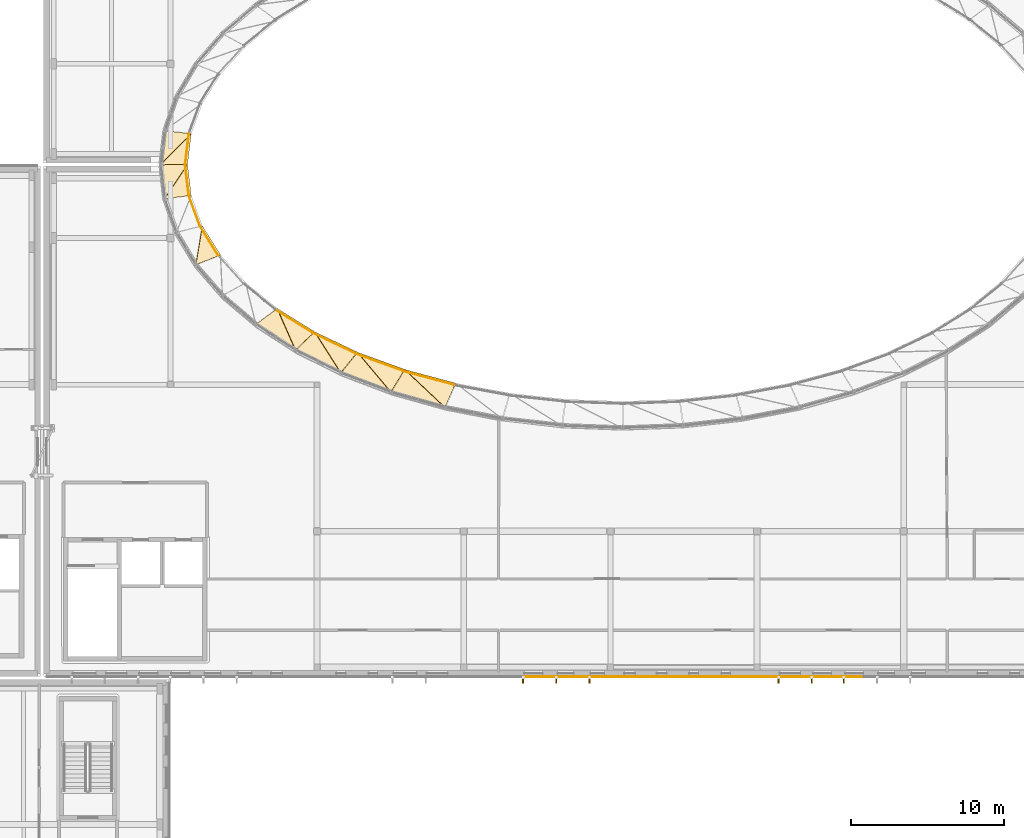
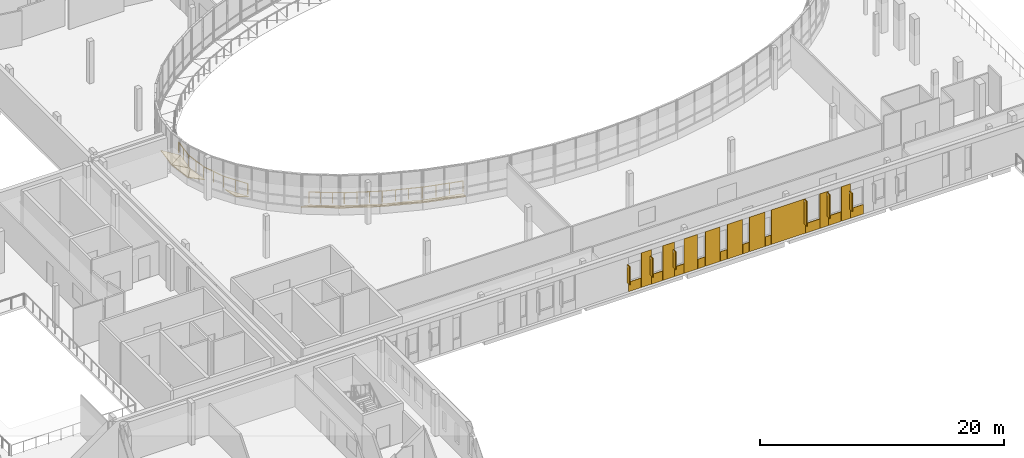
# One storey, part 57 of 73: 32 coverings, 8 railings, 6 shading devices.
"""IFC4 building model written with IfcOpenShell, lengths in metres."""

import ifcopenshell
import ifcopenshell.guid

model = None  # the IFC model being written
_history = None  # IfcOwnerHistory: only IFC2X3 demands one
_inside = {}  # id of a spatial element -> (the spatial element, [elements in it])
_under = {}  # id of a project, library or spatial element -> (it, [spatial elements below it])
_declared = {}  # id of a project -> (the project, [libraries it declares])
_typed = {}  # id of a type object -> (the type object, [elements of that type])
_made_of = {}  # id of a material, layer set ... -> (it, [elements and type objects made of it])


def new_model(schema):
    """Start an empty IFC model of exactly this schema.

    Asked for "IFC4X3", IfcOpenShell would pick the latest addendum, in which some entities
    have other attributes; the version numbers below select the first issue.
    IFC2X3 requires an IfcOwnerHistory on every rooted entity: one is made here for all.
    """
    global model, _history
    if schema == "IFC4X3":
        model = ifcopenshell.file(schema_version=(4, 3, 0, 0))
    else:
        model = ifcopenshell.file(schema=schema)
    _inside.clear()
    _under.clear()
    _declared.clear()
    _typed.clear()
    _made_of.clear()
    _history = None
    if model.schema == "IFC2X3":
        org = make("IfcOrganization", Name="unknown")
        user = make(
            "IfcPersonAndOrganization",
            ThePerson=make("IfcPerson", FamilyName="unknown"),
            TheOrganization=org,
        )
        app = make(
            "IfcApplication",
            ApplicationDeveloper=org,
            Version="unknown",
            ApplicationFullName="unknown",
            ApplicationIdentifier="unknown",
        )
        _history = make(
            "IfcOwnerHistory",
            OwningUser=user,
            OwningApplication=app,
            ChangeAction="ADDED",
            CreationDate=0,
        )
    return model


def make(cls, **values):
    """One entity of the class cls with the attributes given. An attribute that is None is left unset."""
    return model.create_entity(
        cls, **{name: value for name, value in values.items() if value is not None}
    )


def rooted(cls, **values):
    """An entity with a GlobalId (a new one), such as an element, a storey or a relation."""
    return make(cls, GlobalId=ifcopenshell.guid.new(), OwnerHistory=_history, **values)


def si_unit(unit_type, name, prefix=None):
    """IfcSIUnit, for example si_unit("LENGTHUNIT", "METRE", prefix="MILLI")."""
    return make("IfcSIUnit", UnitType=unit_type, Prefix=prefix, Name=name)


def assignment(units):
    """IfcUnitAssignment: the units of a project."""
    return None if units is None else make("IfcUnitAssignment", Units=units)


def point(xyz):
    """IfcCartesianPoint."""
    return None if xyz is None else make("IfcCartesianPoint", Coordinates=xyz)


def direction(xyz):
    """IfcDirection."""
    return None if xyz is None else make("IfcDirection", DirectionRatios=xyz)


def frame(location, z_axis=None, x_axis=None):
    """IfcAxis2Placement3D, a coordinate frame: its origin and axes. An axis left out is left unset."""
    return make(
        "IfcAxis2Placement3D",
        Location=point(location),
        Axis=direction(z_axis),
        RefDirection=direction(x_axis),
    )


def frame_2d(location, x_axis=None):
    """IfcAxis2Placement2D, a coordinate frame in the plane: its origin and x axis."""
    return make(
        "IfcAxis2Placement2D", Location=point(location), RefDirection=direction(x_axis)
    )


def origin():
    """The frame at (0, 0, 0) with its axes left unset."""
    return frame((0.0, 0.0, 0.0))


def origin_2d():
    """The frame at (0, 0) in the plane with its x axis left unset."""
    return frame_2d((0.0, 0.0))


def place(relative_to, where):
    """IfcLocalPlacement: puts the frame where relative to a parent placement (None: the world)."""
    return make(
        "IfcLocalPlacement", PlacementRelTo=relative_to, RelativePlacement=where
    )


def context(
    kind, dimensions, precision=None, world=None, true_north=None, identifier=None
):
    """IfcGeometricRepresentationContext, for example the 3D "Model" context."""
    return make(
        "IfcGeometricRepresentationContext",
        ContextIdentifier=identifier,
        ContextType=kind,
        CoordinateSpaceDimension=dimensions,
        Precision=precision,
        WorldCoordinateSystem=world,
        TrueNorth=true_north,
    )


def subcontext(parent, identifier, kind, view, scale=None):
    """IfcGeometricRepresentationSubContext, for example "Body" below "Model"."""
    return make(
        "IfcGeometricRepresentationSubContext",
        ContextIdentifier=identifier,
        ContextType=kind,
        ParentContext=parent,
        TargetScale=scale,
        TargetView=view,
    )


def project(units=None, contexts=None):
    """IfcProject with its units and contexts."""
    return rooted(
        "IfcProject",
        Name="project",
        RepresentationContexts=contexts,
        UnitsInContext=assignment(units),
    )


def spatial(cls, under=None, at=None, **own):
    """A site, building, storey or space (cls), placed at a placement, below another one or the project."""
    s = rooted(cls, ObjectPlacement=at, **own)
    if under is not None:
        _under.setdefault(under.id(), (under, []))[1].append(s)
    return s


def polyline(points):
    """IfcPolyline through the points."""
    return make("IfcPolyline", Points=[point(p) for p in points])


def profile(cls, at=None, kind="AREA", **sizes):
    """A parametric profile (cls). Its sizes go by their IFC names, for example OverallWidth=200.0."""
    return make(cls, ProfileType=kind, Position=at, **sizes)


def rectangle(**sizes):
    """IfcRectangleProfileDef."""
    return profile("IfcRectangleProfileDef", **sizes)


def circle(**sizes):
    """IfcCircleProfileDef."""
    return profile("IfcCircleProfileDef", **sizes)


def outline(outer, holes=None, kind="AREA"):
    """IfcArbitraryClosedProfileDef: a profile drawn as a closed curve; with holes, ...WithVoids."""
    if holes is None:
        return make("IfcArbitraryClosedProfileDef", ProfileType=kind, OuterCurve=outer)
    return make(
        "IfcArbitraryProfileDefWithVoids",
        ProfileType=kind,
        OuterCurve=outer,
        InnerCurves=holes,
    )


def extrude(swept, where, along, depth):
    """IfcExtrudedAreaSolid: the profile swept, set in the frame where, extruded along a direction by depth."""
    return make(
        "IfcExtrudedAreaSolid",
        SweptArea=swept,
        Position=where,
        ExtrudedDirection=direction(along),
        Depth=depth,
    )


def shape(context_of_items, identifier, shape_type, items):
    """IfcShapeRepresentation: the items that make up one representation, for example the "Body"."""
    return make(
        "IfcShapeRepresentation",
        ContextOfItems=context_of_items,
        RepresentationIdentifier=identifier,
        RepresentationType=shape_type,
        Items=items,
    )


def material(Name=None, Category=None):
    """IfcMaterial."""
    return make("IfcMaterial", Name=Name, Category=Category)


def layer(
    of_material, thickness, ventilated=None, Name=None, Category=None, Priority=None
):
    """IfcMaterialLayer: one layer of a wall or slab, of a material (None: an air gap)."""
    return make(
        "IfcMaterialLayer",
        Material=of_material,
        LayerThickness=thickness,
        IsVentilated=ventilated,
        Name=Name,
        Category=Category,
        Priority=Priority,
    )


def layer_set(layers, Name=None):
    """IfcMaterialLayerSet."""
    return make("IfcMaterialLayerSet", MaterialLayers=layers, LayerSetName=Name)


def made_of(thing, what):
    """Note that an element or type object is made of a material, layer set ...; save() writes the relation."""
    if what is not None:
        _made_of.setdefault(what.id(), (what, []))[1].append(thing)
    return thing


def type_object(cls, material=None, **own):
    """A type object (cls), such as IfcWallType, which elements share."""
    return made_of(rooted(cls, **own), material)


def element(
    cls,
    number,
    at=None,
    inside=None,
    cuts=None,
    type_object=None,
    material=None,
    context=None,
    identifier="Body",
    shape_type=None,
    held_by="IfcProductDefinitionShape",
    body=None,
    shapes=None,
    **own,
):
    """One element of the class cls, such as IfcWall. Its Tag is "e" and its number.

    at: its placement. inside: the storey or other place that contains it. cuts: it is an
    opening in that element (IfcRelVoidsElement). A single representation is given by context,
    identifier, shape_type and body (its items); several are given by shapes. held_by: the class
    of the entity that holds the representations. save() writes the other relations.
    """
    e = rooted(cls, Tag="e%d" % number, ObjectPlacement=at, **own)
    if body is not None:
        shapes = [shape(context, identifier, shape_type, body)]
    if shapes is not None:
        e.Representation = make(held_by, Representations=shapes)
    if inside is not None:
        _inside.setdefault(inside.id(), (inside, []))[1].append(e)
    if cuts is not None:
        rooted(
            "IfcRelVoidsElement", RelatingBuildingElement=cuts, RelatedOpeningElement=e
        )
    if type_object is not None:
        _typed.setdefault(type_object.id(), (type_object, []))[1].append(e)
    return made_of(e, material)


def aggregate(whole, parts):
    """IfcRelAggregates: a whole, such as a stair, and the parts it consists of."""
    return rooted("IfcRelAggregates", RelatingObject=whole, RelatedObjects=parts)


def save(model, path):
    """Write the relations noted so far, then the file.

    IfcRelAggregates (storeys below a building ...), IfcRelContainedInSpatialStructure (elements
    in a storey), IfcRelDefinesByType, IfcRelAssociatesMaterial and IfcRelDeclares: one each for
    every whole, place, type object, material and project.
    """
    for whole, parts in _under.values():
        aggregate(whole, parts)
    for where, things in _inside.values():
        rooted(
            "IfcRelContainedInSpatialStructure",
            RelatedElements=things,
            RelatingStructure=where,
        )
    for kind, things in _typed.values():
        rooted("IfcRelDefinesByType", RelatedObjects=things, RelatingType=kind)
    for what, things in _made_of.values():
        rooted("IfcRelAssociatesMaterial", RelatedObjects=things, RelatingMaterial=what)
    for by, libraries in _declared.values():
        rooted("IfcRelDeclares", RelatingContext=by, RelatedDefinitions=libraries)
    model.write(path)


model = new_model("IFC4")

# Units and contexts
model_context = context("Model", 3, precision=1e-05, world=origin(), true_north=direction((0.0, 1.0)))
body_context = subcontext(model_context, "Body", "Model", "MODEL_VIEW")
ifc_project = project(units=[si_unit("LENGTHUNIT", "METRE"), si_unit("AREAUNIT", "SQUARE_METRE"), si_unit("VOLUMEUNIT", "CUBIC_METRE"), si_unit("PLANEANGLEUNIT", "RADIAN"), si_unit("MASSUNIT", "GRAM", prefix="KILO")], contexts=[model_context])

# Site, building, storey
site_placement = place(None, origin())
site = spatial("IfcSite", under=ifc_project, at=site_placement, CompositionType="ELEMENT")
building_placement = place(site_placement, origin())
building = spatial("IfcBuilding", under=site, at=building_placement, Name="Mzevani Central Library", CompositionType="ELEMENT")
storey_placement = place(building_placement, frame((0.0, 0.0, 9.60009765625)))
storey = spatial("IfcBuildingStorey", under=building, at=storey_placement, Name="L02", CompositionType="ELEMENT", Elevation=9.60009765625)

# Shading devices
ifc_material_1 = material(Name="Anodized architectural bronze")
shading_device_type = type_object("IfcShadingDeviceType", Name="Anodized Bronze Vertical Sun-Breaker Fin", PredefinedType="USERDEFINED", material=ifc_material_1)
shading_device_1_placement = place(storey_placement, frame((98.47998046875, 42.27490234375, 0.94970703125), z_axis=(0.0, 0.0, 1.0), x_axis=(-1.0, 0.0, 0.0)))
element("IfcShadingDevice", 1, at=shading_device_1_placement, inside=storey, type_object=shading_device_type, Name="L02 V1 Solar Fin (97)", ObjectType="SOLAR FIN", PredefinedType="USERDEFINED", context=body_context, shape_type="SweptSolid", body=[
    extrude(rectangle(XDim=0.080078125, YDim=0.449951171875, at=origin_2d()), origin(), (0.0, 0.0, 1.0), 1.800048828125),
])
shading_device_2_placement = place(storey_placement, frame((96.3798828125, 42.27490234375, 0.949951171875), z_axis=(0.0, 0.0, 1.0), x_axis=(-1.0, 0.0, 0.0)))
element("IfcShadingDevice", 2, at=shading_device_2_placement, inside=storey, type_object=shading_device_type, Name="L02 V1 Solar Fin (98)", ObjectType="SOLAR FIN", PredefinedType="USERDEFINED", context=body_context, shape_type="SweptSolid", body=[
    extrude(rectangle(XDim=0.080078125, YDim=0.449951171875, at=origin_2d()), origin(), (0.0, 0.0, 1.0), 2.39990234375),
])
shading_device_3_placement = place(storey_placement, frame((94.205078125, 42.27490234375, 0.949951171875), z_axis=(0.0, 0.0, 1.0), x_axis=(-1.0, 0.0, 0.0)))
element("IfcShadingDevice", 3, at=shading_device_3_placement, inside=storey, type_object=shading_device_type, Name="L02 V1 Solar Fin (99)", ObjectType="SOLAR FIN", PredefinedType="USERDEFINED", context=body_context, shape_type="SweptSolid", body=[
    extrude(rectangle(XDim=0.080078125, YDim=0.449951171875, at=origin_2d()), origin(), (0.0, 0.0, 1.0), 2.5),
])
shading_device_4_placement = place(storey_placement, frame((81.830078125, 42.27490234375, 0.94970703125), z_axis=(0.0, 0.0, 1.0), x_axis=(-1.0, 0.0, 0.0)))
element("IfcShadingDevice", 4, at=shading_device_4_placement, inside=storey, type_object=shading_device_type, Name="L02 V1 Solar Fin (104)", ObjectType="SOLAR FIN", PredefinedType="USERDEFINED", context=body_context, shape_type="SweptSolid", body=[
    extrude(rectangle(XDim=0.080078125, YDim=0.449951171875, at=origin_2d()), origin(), (0.0, 0.0, 1.0), 1.800048828125),
])
shading_device_5_placement = place(storey_placement, frame((79.655029296875, 42.27490234375, 0.949951171875), z_axis=(0.0, 0.0, 1.0), x_axis=(-1.0, 0.0, 0.0)))
element("IfcShadingDevice", 5, at=shading_device_5_placement, inside=storey, type_object=shading_device_type, Name="L02 V1 Solar Fin (105)", ObjectType="SOLAR FIN", PredefinedType="USERDEFINED", context=body_context, shape_type="SweptSolid", body=[
    extrude(rectangle(XDim=0.080078125, YDim=0.449951171875, at=origin_2d()), origin(), (0.0, 0.0, 1.0), 1.89990234375),
])
shading_device_6_placement = place(storey_placement, frame((77.47998046875, 42.27490234375, 0.94970703125), z_axis=(0.0, 0.0, 1.0), x_axis=(-1.0, 0.0, 0.0)))
element("IfcShadingDevice", 6, at=shading_device_6_placement, inside=storey, type_object=shading_device_type, Name="L02 V1 Solar Fin (106)", ObjectType="SOLAR FIN", PredefinedType="USERDEFINED", context=body_context, shape_type="SweptSolid", body=[
    extrude(rectangle(XDim=0.080078125, YDim=0.449951171875, at=origin_2d()), origin(), (0.0, 0.0, 1.0), 1.800048828125),
])

# Coverings
ifc_material_2 = material(Name="Limestone ashlar cladding", Category="masonry")
ifc_layer = layer(ifc_material_2, 0.050048828125, Name="Limestone Ashlar Spandrel Cladding")
ifc_layer_set = layer_set([ifc_layer], Name="Limestone ashlar cladding")
covering_type = type_object("IfcCoveringType", Name="Limestone Ashlar Spandrel Cladding", PredefinedType="CLADDING", material=ifc_layer_set)
covering_1_placement = place(storey_placement, frame((55.762939453125, 78.0146484375, -0.280029296875), z_axis=(0.482113769095, -0.058209343557, 0.874172743782), x_axis=(-0.119867246619, -0.992789929032, 0.0)))
element("IfcCovering", 7, at=covering_1_placement, inside=storey, type_object=covering_type, Name="L02 Curved Court Spandrel Apron 24A", PredefinedType="CLADDING", context=body_context, shape_type="SweptSolid", body=[
    extrude(outline(polyline([(0.0, 0.0), (2.0265746375832947, 0.0), (2.2300524886926474, -1.9767938858167566), (0.0, 0.0)])), origin(), (0.0, 0.0, -1.0), 0.06005859375),
])
covering_2_placement = place(storey_placement, frame((55.762939453125, 78.0146484375, -0.280029296875), z_axis=(0.480029442013, -0.055517916996, 0.87549385817), x_axis=(-0.665389302731, -0.673417885797, 0.322126414471)))
element("IfcCovering", 8, at=covering_2_placement, inside=storey, type_object=covering_type, Name="L02 Curved Court Spandrel Apron 24B", PredefinedType="CLADDING", context=body_context, shape_type="SweptSolid", body=[
    extrude(outline(polyline([(0.0, 0.0), (2.9800751952470566, 0.0), (1.3137181064570167, -1.4902151256833533), (0.0, 0.0)])), origin(), (0.0, 0.0, -1.0), 0.06005859375),
])
covering_3_placement = place(storey_placement, frame((55.52001953125, 75.997314453125, -0.280029296875), z_axis=(0.479734759753, 0.057922107263, 0.875499622944), x_axis=(0.119867246619, -0.992789929032, 0.0)))
element("IfcCovering", 9, at=covering_3_placement, inside=storey, type_object=covering_type, Name="L02 Curved Court Spandrel Apron 25A", PredefinedType="CLADDING", context=body_context, shape_type="SweptSolid", body=[
    extrude(outline(polyline([(0.0, 0.0), (2.0265746375832947, 0.0), (2.0320000634221618, -1.9865968259319575), (0.0, 0.0)])), origin(), (0.0, 0.0, -1.0), 0.06005859375),
])
covering_4_placement = place(storey_placement, frame((55.52001953125, 75.997314453125, -0.280029296875), z_axis=(0.482186619498, 0.055767405861, 0.874291747885), x_axis=(-0.521914269667, -0.783258007663, 0.3378052524)))
element("IfcCovering", 10, at=covering_4_placement, inside=storey, type_object=covering_type, Name="L02 Curved Court Spandrel Apron 25B", PredefinedType="CLADDING", context=body_context, shape_type="SweptSolid", body=[
    extrude(outline(polyline([(0.0, 0.0), (2.84175847083291, 1.6653345369377348e-16), (1.2364213062782332, -1.555756939973536), (0.0, 0.0)])), origin(), (0.0, 0.0, -1.0), 0.06005859375),
])
covering_5_placement = place(storey_placement, frame((56.489013671875, 71.99658203125, -0.280029296875), z_axis=(0.415396503163, 0.259808733628, 0.87174833931), x_axis=(0.530271784497, -0.847827715144, 0.0)))
element("IfcCovering", 11, at=covering_5_placement, inside=storey, type_object=covering_type, Name="L02 Curved Court Spandrel Apron 27A", PredefinedType="CLADDING", context=body_context, shape_type="SweptSolid", body=[
    extrude(outline(polyline([(0.0, 0.0), (2.2518486402346767, 1.1102230246251565e-16), (1.9357322638071477, -1.9592882512749972), (0.0, 0.0)])), origin(), (0.0, 0.0, -1.0), 0.06005859375),
])
covering_6_placement = place(storey_placement, frame((61.396484375, 66.583251953125, -0.280029296875), z_axis=(0.261665279031, 0.422819736595, 0.867614402886), x_axis=(0.850337388032, -0.526237899162, 0.0)))
element("IfcCovering", 12, at=covering_6_placement, inside=storey, type_object=covering_type, Name="L02 Curved Court Spandrel Apron 30A", PredefinedType="CLADDING", context=body_context, shape_type="SweptSolid", body=[
    extrude(outline(polyline([(0.0, 0.0), (2.8805776684630735, -2.220446049250313e-16), (2.4379757946272083, -1.9305879209448535), (0.0, 0.0)])), origin(), (0.0, 0.0, -1.0), 0.06005859375),
])
covering_7_placement = place(storey_placement, frame((61.396484375, 66.583251953125, -0.280029296875), z_axis=(0.276015295902, 0.426851029618, 0.861169991896), x_axis=(0.383191185102, -0.87056075632, 0.308688330224)))
element("IfcCovering", 13, at=covering_7_placement, inside=storey, type_object=covering_type, Name="L02 Curved Court Spandrel Apron 30B", PredefinedType="CLADDING", context=body_context, shape_type="SweptSolid", body=[
    extrude(outline(polyline([(0.0, 0.0), (3.1098063759157646, 3.3306690738754696e-16), (0.6618051447707292, -1.8711467319723285), (0.0, 0.0)])), origin(), (0.0, 0.0, -1.0), 0.06005859375),
])
covering_8_placement = place(storey_placement, frame((63.85009765625, 65.059814453125, -0.280029296875), z_axis=(0.212986648202, 0.447487099254, 0.868557415309), x_axis=(0.902940744527, -0.429765065905, 0.0)))
element("IfcCovering", 14, at=covering_8_placement, inside=storey, type_object=covering_type, Name="L02 Curved Court Spandrel Apron 31A", PredefinedType="CLADDING", context=body_context, shape_type="SweptSolid", body=[
    extrude(outline(polyline([(0.0, 0.0), (3.093191626280768, -2.220446049250313e-16), (2.683443558481314, -1.9370119162523176), (0.0, 0.0)])), origin(), (0.0, 0.0, -1.0), 0.06005859375),
])
covering_9_placement = place(storey_placement, frame((63.85009765625, 65.059814453125, -0.280029296875), z_axis=(0.225368353983, 0.453174136086, 0.862462931033), x_axis=(0.51365579639, -0.807479010095, 0.290060978229)))
element("IfcCovering", 15, at=covering_9_placement, inside=storey, type_object=covering_type, Name="L02 Curved Court Spandrel Apron 31B", PredefinedType="CLADDING", context=body_context, shape_type="SweptSolid", body=[
    extrude(outline(polyline([(0.0, 0.0), (3.309514238564072, -3.885780586188048e-16), (0.6092019460721081, -1.8884735156535637), (0.0, 0.0)])), origin(), (0.0, 0.0, -1.0), 0.06005859375),
])
covering_10_placement = place(storey_placement, frame((66.649169921875, 63.72216796875, -0.280029296875), z_axis=(0.167983898286, 0.463200587885, 0.870187695443), x_axis=(0.940088141141, -0.340931498819, 0.0)))
element("IfcCovering", 16, at=covering_10_placement, inside=storey, type_object=covering_type, Name="L02 Curved Court Spandrel Apron 32A", PredefinedType="CLADDING", context=body_context, shape_type="SweptSolid", body=[
    extrude(outline(polyline([(0.0, 0.0), (3.2854611304077723, 2.220446049250313e-16), (2.9337021941387196, -1.9482874523607592), (0.0, 0.0)])), origin(), (0.0, 0.0, -1.0), 0.06005859375),
])
covering_11_placement = place(storey_placement, frame((66.649169921875, 63.72216796875, -0.280029296875), z_axis=(0.177929514091, 0.469559641846, 0.864786002873), x_axis=(0.618998273782, -0.736572590316, 0.272583851776)))
element("IfcCovering", 17, at=covering_11_placement, inside=storey, type_object=covering_type, Name="L02 Curved Court Spandrel Apron 32B", PredefinedType="CLADDING", context=body_context, shape_type="SweptSolid", body=[
    extrude(outline(polyline([(0.0, 0.0), (3.5217087558344056, -5.551115123125783e-16), (0.5914605800074694, -1.894025755616434), (0.0, 0.0)])), origin(), (0.0, 0.0, -1.0), 0.06005859375),
])
covering_12_placement = place(storey_placement, frame((69.74609375, 62.59326171875, -0.280029296875), z_axis=(0.126510933268, 0.472753205452, 0.872066161767), x_axis=(0.966008995784, -0.258508452598, 0.0)))
element("IfcCovering", 18, at=covering_12_placement, inside=storey, type_object=covering_type, Name="L02 Curved Court Spandrel Apron 33A", PredefinedType="CLADDING", context=body_context, shape_type="SweptSolid", body=[
    extrude(outline(polyline([(0.0, 0.0), (3.449022859948867, 0.0), (3.175637176252234, -1.9615539155147563), (0.0, 0.0)])), origin(), (0.0, 0.0, -1.0), 0.06005859375),
])
covering_13_placement = place(storey_placement, frame((69.74609375, 62.59326171875, -0.280029296875), z_axis=(0.133901664719, 0.478870354402, 0.867613697368), x_axis=(0.70339237913, -0.662643499438, 0.257182335386)))
element("IfcCovering", 19, at=covering_13_placement, inside=storey, type_object=covering_type, Name="L02 Curved Court Spandrel Apron 33B", PredefinedType="CLADDING", context=body_context, shape_type="SweptSolid", body=[
    extrude(outline(polyline([(0.0, 0.0), (3.7326083693131444, -5.551115123125783e-17), (0.6048689933932431, -1.890201091000881), (0.0, 0.0)])), origin(), (0.0, 0.0, -1.0), 0.06005859375),
])
covering_14_placement = place(storey_placement, frame((99.159912109375, 42.47607421875, 0.0), z_axis=(0.0, 0.0, 1.0), x_axis=(-1.0, 0.0, 0.0)))
element("IfcCovering", 20, at=covering_14_placement, inside=storey, type_object=covering_type, Name="L02 Warm-White Sill Cladding 35 (EW4-V1-L02-0011)", PredefinedType="CLADDING", context=body_context, shape_type="SweptSolid", body=[
    extrude(rectangle(XDim=1.199951171875, YDim=0.050048828125, at=origin_2d()), origin(), (0.0, 0.0, 1.0), 0.949951171875),
])
covering_15_placement = place(storey_placement, frame((98.110107421875, 42.47607421875, 0.0), z_axis=(0.0, 0.0, 1.0), x_axis=(-1.0, 0.0, 0.0)))
element("IfcCovering", 21, at=covering_15_placement, inside=storey, type_object=covering_type, Name="L02 Warm-White Facade Pier 36 (EW4-V1-L02-0011)", PredefinedType="CLADDING", context=body_context, shape_type="SweptSolid", body=[
    extrude(rectangle(XDim=0.860107421875, YDim=0.050048828125, at=origin_2d()), origin(), (0.0, 0.0, 1.0), 3.449951171875),
])
covering_16_placement = place(storey_placement, frame((97.06005859375, 42.47607421875, 0.0), z_axis=(0.0, 0.0, 1.0), x_axis=(-1.0, 0.0, 0.0)))
element("IfcCovering", 22, at=covering_16_placement, inside=storey, type_object=covering_type, Name="L02 Warm-White Sill Cladding 37 (EW4-V1-L02-0011)", PredefinedType="CLADDING", context=body_context, shape_type="SweptSolid", body=[
    extrude(rectangle(XDim=1.199951171875, YDim=0.050048828125, at=origin_2d()), origin(), (0.0, 0.0, 1.0), 0.949951171875),
])
covering_17_placement = place(storey_placement, frame((96.047607421875, 42.47607421875, 0.0), z_axis=(0.0, 0.0, 1.0), x_axis=(-1.0, 0.0, 0.0)))
element("IfcCovering", 23, at=covering_17_placement, inside=storey, type_object=covering_type, Name="L02 Warm-White Facade Pier 38 (EW4-V1-L02-0011)", PredefinedType="CLADDING", context=body_context, shape_type="SweptSolid", body=[
    extrude(rectangle(XDim=0.784912109375, YDim=0.050048828125, at=origin_2d()), origin(), (0.0, 0.0, 1.0), 3.449951171875),
])
covering_18_placement = place(storey_placement, frame((94.9599609375, 42.47607421875, 0.0), z_axis=(0.0, 0.0, 1.0), x_axis=(-1.0, 0.0, 0.0)))
element("IfcCovering", 24, at=covering_18_placement, inside=storey, type_object=covering_type, Name="L02 Warm-White Sill Cladding 39 (EW4-V1-L02-0011)", PredefinedType="CLADDING", context=body_context, shape_type="SweptSolid", body=[
    extrude(rectangle(XDim=1.35009765625, YDim=0.050048828125, at=origin_2d()), origin(), (0.0, 0.0, 1.0), 0.949951171875),
])
covering_19_placement = place(storey_placement, frame((92.659912109375, 42.47607421875, 0.0), z_axis=(0.0, 0.0, 1.0), x_axis=(-1.0, 0.0, 0.0)))
element("IfcCovering", 25, at=covering_19_placement, inside=storey, type_object=covering_type, Name="L02 Warm-White Facade Pier 40 (EW4-V1-L02-0011)", PredefinedType="CLADDING", context=body_context, shape_type="SweptSolid", body=[
    extrude(rectangle(XDim=3.2099609375, YDim=0.050048828125, at=origin_2d()), origin(), (0.0, 0.0, 1.0), 3.449951171875),
])
covering_20_placement = place(storey_placement, frame((90.760009765625, 42.47607421875, 0.0), z_axis=(0.0, 0.0, 1.0), x_axis=(-1.0, 0.0, 0.0)))
element("IfcCovering", 26, at=covering_20_placement, inside=storey, type_object=covering_type, Name="L02 Warm-White Sill Cladding 41 (EW4-V1-L02-0011)", PredefinedType="CLADDING", context=body_context, shape_type="SweptSolid", body=[
    extrude(rectangle(XDim=0.550048828125, YDim=0.050048828125, at=origin_2d()), origin(), (0.0, 0.0, 1.0), 0.949951171875),
])
covering_21_placement = place(storey_placement, frame((89.722412109375, 42.47607421875, 0.0), z_axis=(0.0, 0.0, 1.0), x_axis=(-1.0, 0.0, 0.0)))
element("IfcCovering", 27, at=covering_21_placement, inside=storey, type_object=covering_type, Name="L02 Warm-White Facade Pier 42 (EW4-V1-L02-0011)", PredefinedType="CLADDING", context=body_context, shape_type="SweptSolid", body=[
    extrude(rectangle(XDim=1.485107421875, YDim=0.050048828125, at=origin_2d()), origin(), (0.0, 0.0, 1.0), 3.449951171875),
])
covering_22_placement = place(storey_placement, frame((88.659912109375, 42.47607421875, 0.0), z_axis=(0.0, 0.0, 1.0), x_axis=(-1.0, 0.0, 0.0)))
element("IfcCovering", 28, at=covering_22_placement, inside=storey, type_object=covering_type, Name="L02 Warm-White Sill Cladding 43 (EW4-V1-L02-0011)", PredefinedType="CLADDING", context=body_context, shape_type="SweptSolid", body=[
    extrude(rectangle(XDim=0.60009765625, YDim=0.050048828125, at=origin_2d()), origin(), (0.0, 0.0, 1.0), 0.949951171875),
])
covering_23_placement = place(storey_placement, frame((87.62255859375, 42.47607421875, 0.0), z_axis=(0.0, 0.0, 1.0), x_axis=(-1.0, 0.0, 0.0)))
element("IfcCovering", 29, at=covering_23_placement, inside=storey, type_object=covering_type, Name="L02 Warm-White Facade Pier 44 (EW4-V1-L02-0011)", PredefinedType="CLADDING", context=body_context, shape_type="SweptSolid", body=[
    extrude(rectangle(XDim=1.43505859375, YDim=0.050048828125, at=origin_2d()), origin(), (0.0, 0.0, 1.0), 3.449951171875),
])
covering_24_placement = place(storey_placement, frame((86.56005859375, 42.47607421875, 0.0), z_axis=(0.0, 0.0, 1.0), x_axis=(-1.0, 0.0, 0.0)))
element("IfcCovering", 30, at=covering_24_placement, inside=storey, type_object=covering_type, Name="L02 Warm-White Sill Cladding 45 (EW4-V1-L02-0011)", PredefinedType="CLADDING", context=body_context, shape_type="SweptSolid", body=[
    extrude(rectangle(XDim=0.64990234375, YDim=0.050048828125, at=origin_2d()), origin(), (0.0, 0.0, 1.0), 0.949951171875),
])
covering_25_placement = place(storey_placement, frame((85.5224609375, 42.47607421875, 0.0), z_axis=(0.0, 0.0, 1.0), x_axis=(-1.0, 0.0, 0.0)))
element("IfcCovering", 31, at=covering_25_placement, inside=storey, type_object=covering_type, Name="L02 Warm-White Facade Pier 46 (EW4-V1-L02-0011)", PredefinedType="CLADDING", context=body_context, shape_type="SweptSolid", body=[
    extrude(rectangle(XDim=1.385009765625, YDim=0.050048828125, at=origin_2d()), origin(), (0.0, 0.0, 1.0), 3.449951171875),
])
covering_26_placement = place(storey_placement, frame((84.4599609375, 42.47607421875, 0.0), z_axis=(0.0, 0.0, 1.0), x_axis=(-1.0, 0.0, 0.0)))
element("IfcCovering", 32, at=covering_26_placement, inside=storey, type_object=covering_type, Name="L02 Warm-White Sill Cladding 47 (EW4-V1-L02-0011)", PredefinedType="CLADDING", context=body_context, shape_type="SweptSolid", body=[
    extrude(rectangle(XDim=0.699951171875, YDim=0.050048828125, at=origin_2d()), origin(), (0.0, 0.0, 1.0), 0.949951171875),
])
covering_27_placement = place(storey_placement, frame((83.4599609375, 42.47607421875, 0.0), z_axis=(0.0, 0.0, 1.0), x_axis=(-1.0, 0.0, 0.0)))
element("IfcCovering", 33, at=covering_27_placement, inside=storey, type_object=covering_type, Name="L02 Warm-White Facade Pier 48 (EW4-V1-L02-0011)", PredefinedType="CLADDING", context=body_context, shape_type="SweptSolid", body=[
    extrude(rectangle(XDim=1.260009765625, YDim=0.050048828125, at=origin_2d()), origin(), (0.0, 0.0, 1.0), 3.449951171875),
])
covering_28_placement = place(storey_placement, frame((82.360107421875, 42.47607421875, 0.0), z_axis=(0.0, 0.0, 1.0), x_axis=(-1.0, 0.0, 0.0)))
element("IfcCovering", 34, at=covering_28_placement, inside=storey, type_object=covering_type, Name="L02 Warm-White Sill Cladding 49 (EW4-V1-L02-0011)", PredefinedType="CLADDING", context=body_context, shape_type="SweptSolid", body=[
    extrude(rectangle(XDim=0.89990234375, YDim=0.050048828125, at=origin_2d()), origin(), (0.0, 0.0, 1.0), 0.949951171875),
])
covering_29_placement = place(storey_placement, frame((81.347412109375, 42.47607421875, 0.0), z_axis=(0.0, 0.0, 1.0), x_axis=(-1.0, 0.0, 0.0)))
element("IfcCovering", 35, at=covering_29_placement, inside=storey, type_object=covering_type, Name="L02 Warm-White Facade Pier 50 (EW4-V1-L02-0011)", PredefinedType="CLADDING", context=body_context, shape_type="SweptSolid", body=[
    extrude(rectangle(XDim=1.0849609375, YDim=0.050048828125, at=origin_2d()), origin(), (0.0, 0.0, 1.0), 3.449951171875),
])
covering_30_placement = place(storey_placement, frame((80.260009765625, 42.47607421875, 0.0), z_axis=(0.0, 0.0, 1.0), x_axis=(-1.0, 0.0, 0.0)))
element("IfcCovering", 36, at=covering_30_placement, inside=storey, type_object=covering_type, Name="L02 Warm-White Sill Cladding 51 (EW4-V1-L02-0011)", PredefinedType="CLADDING", context=body_context, shape_type="SweptSolid", body=[
    extrude(rectangle(XDim=1.050048828125, YDim=0.050048828125, at=origin_2d()), origin(), (0.0, 0.0, 1.0), 0.949951171875),
])
covering_31_placement = place(storey_placement, frame((79.24755859375, 42.47607421875, 0.0), z_axis=(0.0, 0.0, 1.0), x_axis=(-1.0, 0.0, 0.0)))
element("IfcCovering", 37, at=covering_31_placement, inside=storey, type_object=covering_type, Name="L02 Warm-White Facade Pier 52 (EW4-V1-L02-0011)", PredefinedType="CLADDING", context=body_context, shape_type="SweptSolid", body=[
    extrude(rectangle(XDim=0.93505859375, YDim=0.050048828125, at=origin_2d()), origin(), (0.0, 0.0, 1.0), 3.449951171875),
])
covering_32_placement = place(storey_placement, frame((78.159912109375, 42.47607421875, 0.0), z_axis=(0.0, 0.0, 1.0), x_axis=(-1.0, 0.0, 0.0)))
element("IfcCovering", 38, at=covering_32_placement, inside=storey, type_object=covering_type, Name="L02 Warm-White Sill Cladding 53 (EW4-V1-L02-0011)", PredefinedType="CLADDING", context=body_context, shape_type="SweptSolid", body=[
    extrude(rectangle(XDim=1.199951171875, YDim=0.050048828125, at=origin_2d()), origin(), (0.0, 0.0, 1.0), 0.949951171875),
])

# Railings
railing_type = type_object("IfcRailingType", Name="Terrace and Court Balustrade 1100", PredefinedType="BALUSTRADE", material=ifc_material_1)
railing_1_placement = place(storey_placement, frame((55.60302734375, 78.020263671875, 0.0)))
element("IfcRailing", 39, at=railing_1_placement, inside=storey, type_object=railing_type, Name="L02 Elliptical Court Terrace Guard 24", PredefinedType="BALUSTRADE", context=body_context, shape_type="SweptSolid", body=[
    extrude(circle(Radius=0.02392578125, at=origin_2d()), frame((0.0, 0.0, 1.076171875), z_axis=(-0.119881584564, -0.992788197796, 0.0), x_axis=(0.992788197796, -0.119881584564, 0.0)), (0.0, 0.0, 1.0), 2.0263671875),
    extrude(circle(Radius=0.02099609375, at=origin_2d()), origin(), (0.0, 0.0, 1.0), 1.052001953125),
    extrude(circle(Radius=0.02099609375, at=origin_2d()), frame((-0.12158203125, -1.005859375, 0.0)), (0.0, 0.0, 1.0), 1.052001953125),
    extrude(circle(Radius=0.02099609375, at=origin_2d()), frame((-0.242919921875, -2.01171875, 0.0)), (0.0, 0.0, 1.0), 1.052001953125),
])
railing_2_placement = place(storey_placement, frame((55.360107421875, 75.991455078125, 0.0)))
element("IfcRailing", 40, at=railing_2_placement, inside=storey, type_object=railing_type, Name="L02 Elliptical Court Terrace Guard 25", PredefinedType="BALUSTRADE", context=body_context, shape_type="SweptSolid", body=[
    extrude(circle(Radius=0.02392578125, at=origin_2d()), frame((0.0, 0.0, 1.076171875), z_axis=(0.119881584564, -0.992788197796, 0.0), x_axis=(0.992788197796, 0.119881584564, 0.0)), (0.0, 0.0, 1.0), 2.0263671875),
    extrude(circle(Radius=0.02099609375, at=origin_2d()), origin(), (0.0, 0.0, 1.0), 1.052001953125),
    extrude(circle(Radius=0.02099609375, at=origin_2d()), frame((0.12158203125, -1.005859375, 0.0)), (0.0, 0.0, 1.0), 1.052001953125),
    extrude(circle(Radius=0.02099609375, at=origin_2d()), frame((0.242919921875, -2.01171875, 0.0)), (0.0, 0.0, 1.0), 1.052001953125),
])
railing_3_placement = place(storey_placement, frame((55.6044921875, 73.96240234375, 0.0)))
element("IfcRailing", 41, at=railing_3_placement, inside=storey, type_object=railing_type, Name="L02 Elliptical Court Terrace Guard 26", PredefinedType="BALUSTRADE", context=body_context, shape_type="SweptSolid", body=[
    extrude(circle(Radius=0.02392578125, at=origin_2d()), frame((0.0, 0.0, 1.076171875), z_axis=(0.344087728137, -0.938937503429, 0.0), x_axis=(0.938937503429, 0.344087728137, 0.0)), (0.0, 0.0, 1.0), 2.10595703125),
    extrude(circle(Radius=0.02099609375, at=origin_2d()), origin(), (0.0, 0.0, 1.0), 1.052001953125),
    extrude(circle(Radius=0.02099609375, at=origin_2d()), frame((0.3623046875, -0.98876953125, 0.0)), (0.0, 0.0, 1.0), 1.052001953125),
    extrude(circle(Radius=0.02099609375, at=origin_2d()), frame((0.724609375, -1.977294921875, 0.0)), (0.0, 0.0, 1.0), 1.052001953125),
])
railing_4_placement = place(storey_placement, frame((56.331787109375, 71.967529296875, 0.0)))
element("IfcRailing", 42, at=railing_4_placement, inside=storey, type_object=railing_type, Name="L02 Elliptical Court Terrace Guard 27", PredefinedType="BALUSTRADE", context=body_context, shape_type="SweptSolid", body=[
    extrude(circle(Radius=0.02392578125, at=origin_2d()), frame((0.0, 0.0, 1.076171875), z_axis=(0.53032053051, -0.847797225119, 0.0), x_axis=(0.847797225119, 0.53032053051, 0.0)), (0.0, 0.0, 1.0), 2.251708984375),
    extrude(circle(Radius=0.02099609375, at=origin_2d()), origin(), (0.0, 0.0, 1.0), 1.052001953125),
    extrude(circle(Radius=0.02099609375, at=origin_2d()), frame((0.59716796875, -0.95458984375, 0.0)), (0.0, 0.0, 1.0), 1.052001953125),
    extrude(circle(Radius=0.02099609375, at=origin_2d()), frame((1.194091796875, -1.908935546875, 0.0)), (0.0, 0.0, 1.0), 1.052001953125),
])
railing_5_placement = place(storey_placement, frame((61.252197265625, 66.514404296875, 0.0)))
element("IfcRailing", 43, at=railing_5_placement, inside=storey, type_object=railing_type, Name="L02 Elliptical Court Terrace Guard 30", PredefinedType="BALUSTRADE", context=body_context, shape_type="SweptSolid", body=[
    extrude(circle(Radius=0.02392578125, at=origin_2d()), frame((0.0, 0.0, 1.076171875), z_axis=(0.850351844492, -0.526214538538, 0.0), x_axis=(0.526214538538, 0.850351844492, 0.0)), (0.0, 0.0, 1.0), 2.880126953125),
    extrude(circle(Radius=0.02099609375, at=origin_2d()), origin(), (0.0, 0.0, 1.0), 1.052001953125),
    extrude(circle(Radius=0.02099609375, at=origin_2d()), frame((0.81640625, -0.505126953125, 0.0)), (0.0, 0.0, 1.0), 1.052001953125),
    extrude(circle(Radius=0.02099609375, at=origin_2d()), frame((1.6328125, -1.010498046875, 0.0)), (0.0, 0.0, 1.0), 1.052001953125),
    extrude(circle(Radius=0.02099609375, at=origin_2d()), frame((2.44921875, -1.515625, 0.0)), (0.0, 0.0, 1.0), 1.052001953125),
])
railing_6_placement = place(storey_placement, frame((63.714111328125, 64.9755859375, 0.0)))
element("IfcRailing", 44, at=railing_6_placement, inside=storey, type_object=railing_type, Name="L02 Elliptical Court Terrace Guard 31", PredefinedType="BALUSTRADE", context=body_context, shape_type="SweptSolid", body=[
    extrude(circle(Radius=0.02392578125, at=origin_2d()), frame((0.0, 0.0, 1.076171875), z_axis=(0.902940744527, -0.429765065905, 0.0), x_axis=(0.429765065905, 0.902940744527, 0.0)), (0.0, 0.0, 1.0), 3.09326171875),
    extrude(circle(Radius=0.02099609375, at=origin_2d()), origin(), (0.0, 0.0, 1.0), 1.052001953125),
    extrude(circle(Radius=0.02099609375, at=origin_2d()), frame((0.930908203125, -0.443115234375, 0.0)), (0.0, 0.0, 1.0), 1.052001953125),
    extrude(circle(Radius=0.02099609375, at=origin_2d()), frame((1.862060546875, -0.88623046875, 0.0)), (0.0, 0.0, 1.0), 1.052001953125),
    extrude(circle(Radius=0.02099609375, at=origin_2d()), frame((2.79296875, -1.329345703125, 0.0)), (0.0, 0.0, 1.0), 1.052001953125),
])
railing_7_placement = place(storey_placement, frame((66.52490234375, 63.621337890625, 0.0)))
element("IfcRailing", 45, at=railing_7_placement, inside=storey, type_object=railing_type, Name="L02 Elliptical Court Terrace Guard 32", PredefinedType="BALUSTRADE", context=body_context, shape_type="SweptSolid", body=[
    extrude(circle(Radius=0.02392578125, at=origin_2d()), frame((0.0, 0.0, 1.076171875), z_axis=(0.940096777535, -0.340907683792, 0.0), x_axis=(0.340907683792, 0.940096777535, 0.0)), (0.0, 0.0, 1.0), 3.28564453125),
    extrude(circle(Radius=0.02099609375, at=origin_2d()), origin(), (0.0, 0.0, 1.0), 1.052001953125),
    extrude(circle(Radius=0.02099609375, at=origin_2d()), frame((1.029541015625, -0.373291015625, 0.0)), (0.0, 0.0, 1.0), 1.052001953125),
    extrude(circle(Radius=0.02099609375, at=origin_2d()), frame((2.059326171875, -0.746826171875, 0.0)), (0.0, 0.0, 1.0), 1.052001953125),
    extrude(circle(Radius=0.02099609375, at=origin_2d()), frame((3.0888671875, -1.1201171875, 0.0)), (0.0, 0.0, 1.0), 1.052001953125),
])
railing_8_placement = place(storey_placement, frame((69.638671875, 62.474853515625, 0.0)))
element("IfcRailing", 46, at=railing_8_placement, inside=storey, type_object=railing_type, Name="L02 Elliptical Court Terrace Guard 33", PredefinedType="BALUSTRADE", context=body_context, shape_type="SweptSolid", body=[
    extrude(circle(Radius=0.02392578125, at=origin_2d()), frame((0.0, 0.0, 1.076171875), z_axis=(0.966008995784, -0.258508452598, 0.0), x_axis=(0.258508452598, 0.966008995784, 0.0)), (0.0, 0.0, 1.0), 3.448974609375),
    extrude(circle(Radius=0.02099609375, at=origin_2d()), origin(), (0.0, 0.0, 1.0), 1.052001953125),
    extrude(circle(Radius=0.02099609375, at=origin_2d()), frame((1.110595703125, -0.297119140625, 0.0)), (0.0, 0.0, 1.0), 1.052001953125),
    extrude(circle(Radius=0.02099609375, at=origin_2d()), frame((2.22119140625, -0.594482421875, 0.0)), (0.0, 0.0, 1.0), 1.052001953125),
    extrude(circle(Radius=0.02099609375, at=origin_2d()), frame((3.331787109375, -0.8916015625, 0.0)), (0.0, 0.0, 1.0), 1.052001953125),
])

save(model, "model.ifc")
